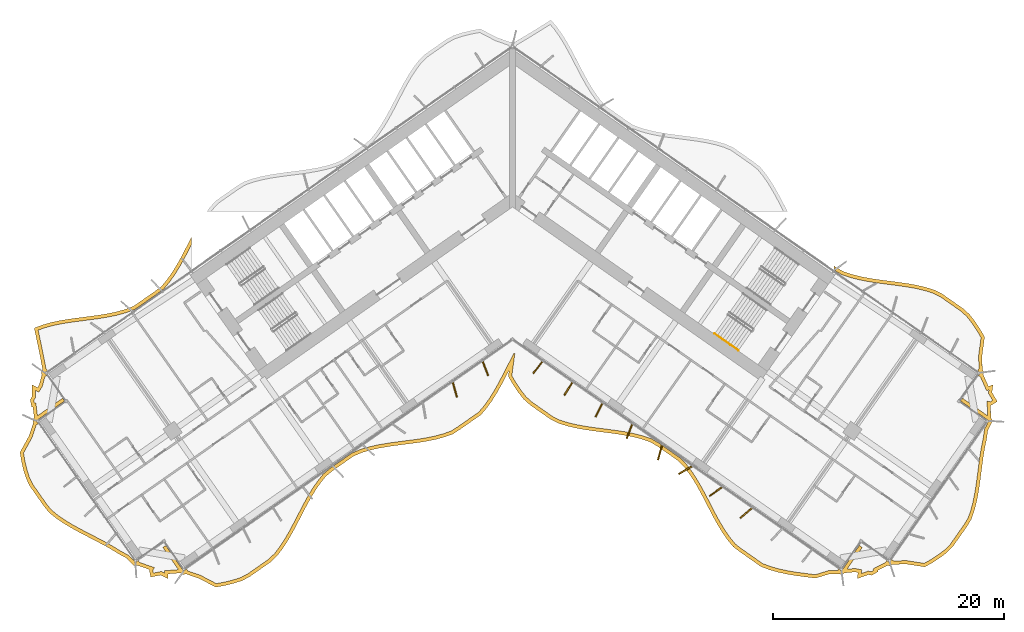
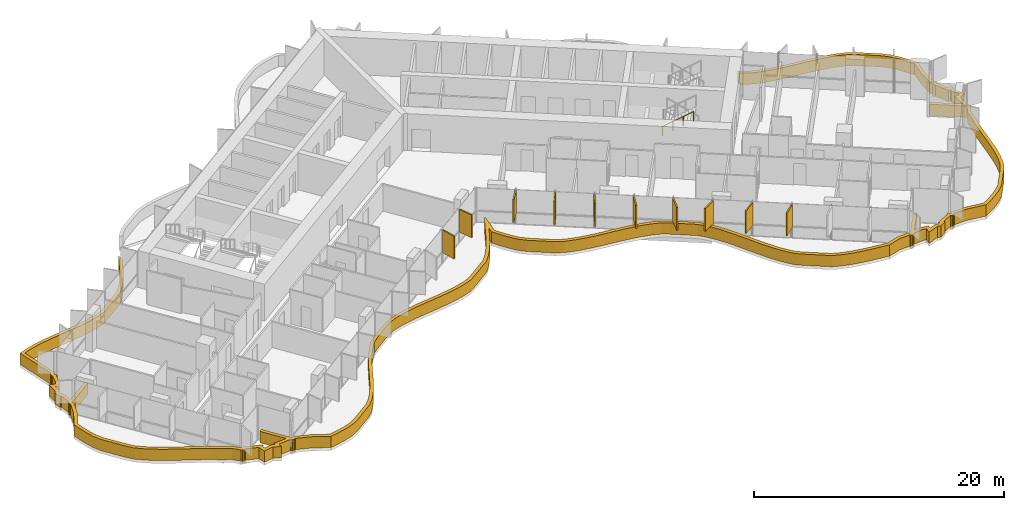
# One storey, part 20 of 23: 11 shading devices, 1 railing.
"""IFC4 building model written with IfcOpenShell, lengths in metres."""

from ifc_helpers import new_model, si_unit, direction, frame, origin, origin_2d, place, context, subcontext, project, spatial, polyline, rectangle, circle, outline, extrude, material, layer, layer_set, type_object, element, save


model = new_model("IFC4")

# Units and contexts
model_context = context("Model", 3, precision=1e-05, world=origin(), true_north=direction((0.0, 1.0)))
body_context = subcontext(model_context, "Body", "Model", "MODEL_VIEW")
ifc_project = project(units=[si_unit("LENGTHUNIT", "METRE"), si_unit("AREAUNIT", "SQUARE_METRE"), si_unit("VOLUMEUNIT", "CUBIC_METRE"), si_unit("PLANEANGLEUNIT", "RADIAN"), si_unit("MASSUNIT", "GRAM", prefix="KILO")], contexts=[model_context])

# Site, building, storey
site_placement = place(None, origin())
site = spatial("IfcSite", under=ifc_project, at=site_placement, CompositionType="ELEMENT")
building_placement = place(site_placement, origin())
building = spatial("IfcBuilding", under=site, at=building_placement, Name="Tel Ilan Convention Tower", CompositionType="ELEMENT")
storey_placement = place(building_placement, frame((0.0, 0.0, 104.89990234375)))
storey = spatial("IfcBuildingStorey", under=building, at=storey_placement, Name="L22", CompositionType="ELEMENT", Elevation=104.89990234375)

# Shading devices
ifc_material_1 = material(Name="Aluminium, bronze anodised", Category="aluminium")
ifc_layer_1 = layer(ifc_material_1, 0.1201171875)
ifc_layer_set_1 = layer_set([ifc_layer_1], Name="FIN BRONZE 1300x120")
shading_device_type_1 = type_object("IfcShadingDeviceType", Name="FIN BRONZE 1300x120", PredefinedType="USERDEFINED", material=ifc_layer_set_1)
for number, where, z_axis, x_axis, name in (
    (1, (-5.004638671875, -17.094482421875, 1.10009765625), (0.0, 0.0, 1.0), (0.268172612768, -0.963370878614, 0.0), "FIN"),
    (2, (-2.35302734375, -15.2529296875, 1.10009765625), (0.0, 0.0, 1.0), (0.360177724803, -0.932883704733, 0.0), "FIN"),
    (3, (2.195556640625, -15.15087890625, 1.10009765625), (0.0, 0.0, 1.0), (-0.612600545196, -0.790392669516, 0.0), "FIN"),
    (4, (4.842041015625, -17.004150390625, 1.10009765625), (0.0, 0.0, 1.0), (-0.533204432798, -0.845986425922, 0.0), "FIN"),
    (5, (7.48876953125, -18.85693359375, 1.10009765625), (0.0, 0.0, 1.0), (-0.448799180206, -0.893632640321, 0.0), "FIN"),
    (6, (10.13818359375, -20.7041015625, 1.10009765625), (0.0, 0.0, 1.0), (-0.360177724803, -0.932883704733, 0.0), "FIN"),
    (7, (12.789794921875, -22.545654296875, 1.10009765625), (0.0, 0.0, 1.0), (-0.268172612768, -0.963370878614, 0.0), "FIN"),
    (8, (14.9931640625, -24.06591796875, 1.10009765625), (0.0, 0.0, 1.0), (-0.866025403784, -0.5, 0.0), "FIN"),
    (9, (17.62548828125, -25.931640625, 1.10009765625), (0.0, 0.0, 1.0), (-0.813552070258, -0.581492071294, 0.0), "FIN"),
    (10, (20.2626953125, -27.79345703125, 1.10009765625), (0.0, 0.0, 1.0), (-0.753435896329, -0.657521368568, 0.0), "FIN"),
):
    element("IfcShadingDevice", number, at=place(storey_placement, frame(where, z_axis=z_axis, x_axis=x_axis)), inside=storey, type_object=shading_device_type_1, Name=name, ObjectType="FIN", PredefinedType="USERDEFINED", context=body_context, shape_type="SweptSolid", body=[
        extrude(rectangle(XDim=1.300048828125, YDim=0.1201171875, at=origin_2d()), origin(), (0.0, 0.0, 1.0), 2.219970703125),
    ])
ifc_material_2 = material(Name="Aluminium, bronze anodised", Category="aluminium")
ifc_layer_2 = layer(ifc_material_2, 0.300048828125)
ifc_layer_set_2 = layer_set([ifc_layer_2], Name="LOUVRE BAND 300x1100")
shading_device_type_2 = type_object("IfcShadingDeviceType", Name="LOUVRE BAND 300x1100", PredefinedType="USERDEFINED", material=ifc_layer_set_2)
shading_device_placement = place(storey_placement, origin())
element("IfcShadingDevice", 11, at=shading_device_placement, inside=storey, type_object=shading_device_type_2, Name="LOUVRE BAND 19.01", ObjectType="LOUVRE", PredefinedType="USERDEFINED", context=body_context, shape_type="SweptSolid", body=[
    extrude(outline(polyline([(-41.95263671875, -21.091796875), (-42.734619140625, -22.51123046875), (-42.607421875, -23.294189453125), (-42.430908203125, -24.04248046875), (-42.208740234375, -24.7587890625), (-41.900146484375, -25.414794921875), (-40.671142578125, -27.170166015625), (-40.220458984375, -27.726806640625), (-39.64404296875, -28.195068359375), (-39.018310546875, -28.62890625), (-38.352294921875, -29.03466796875), (-37.656982421875, -29.419677734375), (-35.51513671875, -30.535888671875), (-34.82470703125, -30.92431640625), (-34.16357421875, -31.33349609375), (-33.458251953125, -31.711669921875), (-32.969482421875, -32.241455078125), (-32.96484375, -32.238037109375), (-32.93603515625, -32.281494140625), (-32.838623046875, -32.346435546875), (-32.723876953125, -32.369384765625), (-32.609130859375, -32.346435546875), (-32.554931640625, -32.310302734375), (-31.51708984375, -32.678955078125), (-31.52783203125, -32.69677734375), (-31.39501953125, -33.33642578125), (-30.5068359375, -33.168701171875), (-29.9072265625, -33.476806640625), (-29.906005859375, -33.06201171875), (-28.786865234375, -32.974853515625), (-28.7578125, -33.01806640625), (-28.660400390625, -33.083251953125), (-28.545654296875, -33.10595703125), (-28.430908203125, -33.083251953125), (-28.376953125, -33.047119140625), (-27.177490234375, -33.46728515625), (-25.748291015625, -34.2158203125), (-24.94677734375, -34.067626953125), (-24.174072265625, -33.878662109375), (-23.436767578125, -33.63916015625), (-22.779296875, -33.28515625), (-20.957275390625, -32.009521484375), (-20.41845703125, -31.486083984375), (-19.947509765625, -30.8662109375), (-19.5107421875, -30.197265625), (-19.1005859375, -29.490234375), (-18.708740234375, -28.75732421875), (-17.939697265625, -27.270263671875), (-17.54296875, -26.544189453125), (-17.125, -25.848388671875), (-16.677734375, -25.1943359375), (-16.19384765625, -24.5927734375), (-15.619140625, -24.12109375), (-13.797119140625, -22.84521484375), (-13.101318359375, -22.546142578125), (-12.351806640625, -22.323974609375), (-11.56884765625, -22.1494140625), (-10.760498046875, -22.01123046875), (-9.935791015625, -21.896484375), (-8.276123046875, -21.681396484375), (-7.4609375, -21.552734375), (-6.66845703125, -21.39208984375), (-5.906494140625, -21.1875), (-5.18212890625, -20.92919921875), (-4.55859375, -20.527099609375), (-2.736572265625, -19.251220703125), (-2.23828125, -18.669921875), (-1.779296875, -18.032958984375), (-1.352294921875, -17.350341796875), (-0.94921875, -16.63330078125), (-0.29345703125, -15.373291015625), (-0.367919921875, -15.928955078125), (0.045166015625, -16.631591796875), (0.487060546875, -17.29296875), (0.964599609375, -17.90380859375), (1.52197265625, -18.400634765625), (3.343994140625, -19.676513671875), (4.02001953125, -20.003662109375), (4.763427734375, -20.234375), (5.54150390625, -20.416015625), (6.34619140625, -20.559326171875), (7.1689453125, -20.67724609375), (8.829345703125, -20.89111328125), (9.647216796875, -21.015625), (10.444091796875, -21.17041015625), (11.211669921875, -21.366943359375), (11.9423828125, -21.61572265625), (12.582275390625, -21.99462890625), (14.404541015625, -23.2705078125), (14.92333984375, -23.822021484375), (15.388427734375, -24.450439453125), (15.8203125, -25.12646484375), (16.2265625, -25.8388671875), (16.61669921875, -26.574462890625), (17.38623046875, -28.060546875), (17.785888671875, -28.782470703125), (18.2080078125, -29.47216796875), (18.660888671875, -30.1181640625), (19.1513671875, -30.71044921875), (19.742431640625, -31.158935546875), (21.564697265625, -32.4345703125), (22.281005859375, -32.7041015625), (23.03662109375, -32.917724609375), (23.824462890625, -33.08544921875), (24.635986328125, -33.218994140625), (26.29443359375, -33.435546875), (27.448974609375, -33.079345703125), (28.376953125, -33.047119140625), (28.430908203125, -33.083251953125), (28.545654296875, -33.10595703125), (28.660400390625, -33.083251953125), (28.7578125, -33.01806640625), (28.786865234375, -32.974853515625), (29.716796875, -32.8935546875), (29.97412109375, -32.9453125), (29.9072265625, -33.476806640625), (30.8779296875, -33.126708984375), (31.183837890625, -33.188232421875), (31.7392578125, -32.8447265625), (31.685546875, -32.75439453125), (32.554931640625, -32.310302734375), (32.609130859375, -32.346435546875), (32.723876953125, -32.369384765625), (32.838623046875, -32.346435546875), (32.93603515625, -32.281494140625), (32.96484375, -32.238037109375), (34.16845703125, -32.208740234375), (35.769775390625, -32.4580078125), (36.4619140625, -32.07080078125), (37.104736328125, -31.64892578125), (37.701904296875, -31.195068359375), (38.212890625, -30.680908203125), (39.44189453125, -28.925537109375), (39.810791015625, -28.311767578125), (40.0537109375, -27.60986328125), (40.247314453125, -26.87353515625), (40.40087890625, -26.109130859375), (40.52490234375, -25.323974609375), (40.841064453125, -22.929443359375), (40.969970703125, -22.147705078125), (41.12841796875, -21.386474609375), (41.24267578125, -20.594482421875), (41.5732421875, -19.9541015625), (41.568603515625, -19.950927734375), (41.604736328125, -19.896728515625), (41.62744140625, -19.781982421875), (41.604736328125, -19.667236328125), (41.53955078125, -19.56982421875), (41.496337890625, -19.541015625), (41.487548828125, -18.439453125), (41.508056640625, -18.443603515625), (42.063720703125, -18.10009765625), (41.602294921875, -17.322509765625), (41.686767578125, -16.65380859375), (41.29638671875, -16.79443359375), (40.831787109375, -15.772705078125), (40.867919921875, -15.71875), (40.890869140625, -15.603759765625), (40.867919921875, -15.489013671875), (40.802978515625, -15.3916015625), (40.759521484375, -15.36279296875), (40.743408203125, -14.096435546875), (40.96044921875, -12.496826171875), (40.548828125, -11.795654296875), (40.108154296875, -11.13525390625), (39.63232421875, -10.525390625), (39.078125, -10.02783203125), (37.260498046875, -8.755126953125), (36.5888671875, -8.4248046875), (35.84814453125, -8.193115234375), (35.072998046875, -8.0107421875), (34.27099609375, -7.86669921875), (33.450927734375, -7.748779296875), (31.79443359375, -7.535400390625), (30.97802734375, -7.412109375), (30.181884765625, -7.259521484375), (29.414794921875, -7.0654296875), (28.68408203125, -6.820068359375), (28.040283203125, -6.44970703125), (27.874755859375, -6.333740234375), (27.874755859375, -6.70068359375), (28.560302734375, -7.094970703125), (29.330322265625, -7.353515625), (30.116943359375, -7.552490234375), (30.92724609375, -7.707763671875), (31.752685546875, -7.83251953125), (33.41064453125, -8.0458984375), (34.22314453125, -8.162841796875), (35.01220703125, -8.3046875), (35.76904296875, -8.482666015625), (36.477294921875, -8.7041015625), (37.107421875, -9.01416015625), (38.89111328125, -10.26318359375), (39.412109375, -10.73095703125), (39.86474609375, -11.31103515625), (40.29443359375, -11.954833984375), (40.649169921875, -12.559326171875), (40.443115234375, -14.07861328125), (40.46142578125, -15.265625), (40.344970703125, -15.431640625), (40.5908203125, -15.603759765625), (40.41943359375, -15.85009765625), (40.596923828125, -15.974365234375), (41.13720703125, -17.1708984375), (41.327880859375, -17.10205078125), (41.291748046875, -17.38720703125), (41.6552734375, -17.999755859375), (41.451171875, -18.1259765625), (41.18359375, -18.072265625), (41.197265625, -19.324462890625), (39.0419921875, -17.8154296875), (38.8701171875, -18.061279296875), (41.327392578125, -19.781982421875), (41.155517578125, -20.02783203125), (41.186279296875, -20.04931640625), (40.952880859375, -20.501708984375), (40.832763671875, -21.33447265625), (40.675048828125, -22.0927734375), (40.54443359375, -22.884521484375), (40.22802734375, -25.28076171875), (40.10546875, -26.05615234375), (39.955078125, -26.8056640625), (39.766357421875, -27.5224609375), (39.53759765625, -28.18408203125), (39.190185546875, -28.761962890625), (37.98193359375, -30.48779296875), (37.50390625, -30.96875), (36.931640625, -31.40380859375), (36.30615234375, -31.814208984375), (35.713623046875, -32.145751953125), (34.1875, -31.908203125), (33.060546875, -31.938720703125), (32.89599609375, -31.823486328125), (32.723876953125, -32.0693359375), (32.4775390625, -31.89794921875), (32.34912109375, -32.08154296875), (31.26416015625, -32.6318359375), (31.3310546875, -32.74462890625), (31.126708984375, -32.870849609375), (30.854736328125, -32.816162109375), (30.26611328125, -33.028564453125), (30.306884765625, -32.7060546875), (29.73291015625, -32.5908203125), (29.016845703125, -32.65625), (30.340087890625, -30.766357421875), (30.09423828125, -30.59423828125), (28.545654296875, -32.805908203125), (28.2998046875, -32.634033203125), (28.214111328125, -32.75634765625), (27.3994140625, -32.78076171875), (26.267822265625, -33.1298828125), (24.6806640625, -32.922119140625), (23.8798828125, -32.79052734375), (23.10888671875, -32.626220703125), (22.374755859375, -32.4189453125), (21.70556640625, -32.167236328125), (19.919189453125, -30.91650390625), (19.3603515625, -30.492431640625), (18.899658203125, -29.936279296875), (18.459228515625, -29.3076171875), (18.04541015625, -28.63134765625), (17.650634765625, -27.91845703125), (16.882568359375, -26.435791015625), (16.489501953125, -25.694091796875), (16.0771484375, -24.97119140625), (15.6357421875, -24.2802734375), (15.154052734375, -23.629150390625), (14.601806640625, -23.04248046875), (12.7451171875, -21.742431640625), (12.068603515625, -21.341796875), (11.29736328125, -21.0791015625), (10.510009765625, -20.87744140625), (9.698486328125, -20.719970703125), (8.871337890625, -20.593994140625), (7.209228515625, -20.3798828125), (6.393798828125, -20.26318359375), (5.60205078125, -20.1220703125), (4.84228515625, -19.94482421875), (4.13037109375, -19.723876953125), (3.496337890625, -19.4169921875), (1.70849609375, -18.1650390625), (1.184326171875, -17.697998046875), (0.73046875, -17.1171875), (0.299560546875, -16.471923828125), (-0.056884765625, -15.8662109375), (0.199462890625, -13.955810546875), (0.11083984375, -13.927978515625), (-0.8271484375, -15.756591796875), (-1.212890625, -16.489990234375), (-1.6103515625, -17.197265625), (-2.0283203125, -17.86572265625), (-2.474365234375, -18.484375), (-2.939697265625, -19.027099609375), (-4.72607421875, -20.278076171875), (-5.315673828125, -20.658203125), (-5.995849609375, -20.90087890625), (-6.737060546875, -21.099853515625), (-7.51416015625, -21.25732421875), (-8.319091796875, -21.384521484375), (-9.97509765625, -21.59912109375), (-10.806396484375, -21.71484375), (-11.626708984375, -21.85498046875), (-12.427001953125, -22.033447265625), (-13.20361328125, -22.263427734375), (-13.94384765625, -22.581787109375), (-15.800537109375, -23.8818359375), (-16.408203125, -24.380615234375), (-16.9189453125, -25.015380859375), (-17.377685546875, -25.686279296875), (-17.80322265625, -26.39501953125), (-18.20458984375, -27.129150390625), (-18.974365234375, -28.617919921875), (-19.36279296875, -29.34423828125), (-19.76611328125, -30.0400390625), (-20.192626953125, -30.693359375), (-20.643798828125, -31.28662109375), (-21.14892578125, -31.777587890625), (-22.93701171875, -33.029296875), (-23.55517578125, -33.362060546875), (-24.256103515625, -33.590087890625), (-25.009765625, -33.7744140625), (-25.700927734375, -33.90185546875), (-27.057861328125, -33.19140625), (-28.18359375, -32.80029296875), (-28.2998046875, -32.634033203125), (-28.545654296875, -32.805908203125), (-30.09423828125, -30.59423828125), (-30.340087890625, -30.766357421875), (-28.991455078125, -32.6923828125), (-30.205078125, -32.78369140625), (-30.20556640625, -32.986083984375), (-30.461181640625, -32.85498046875), (-31.161376953125, -32.98681640625), (-31.2099609375, -32.751708984375), (-31.068115234375, -32.518798828125), (-32.361328125, -32.06396484375), (-32.4775390625, -31.89794921875), (-32.723876953125, -32.0693359375), (-32.89599609375, -31.823486328125), (-32.927001953125, -31.84521484375), (-33.27197265625, -31.47119140625), (-34.013427734375, -31.073486328125), (-34.672119140625, -30.666015625), (-35.37158203125, -30.272216796875), (-37.514892578125, -29.155517578125), (-38.20166015625, -28.775146484375), (-38.8544921875, -28.377197265625), (-39.463623046875, -27.954833984375), (-40.007080078125, -27.513671875), (-40.431396484375, -26.989501953125), (-41.6396484375, -25.263916015625), (-41.92822265625, -24.650146484375), (-42.141357421875, -23.963623046875), (-42.31298828125, -23.235595703125), (-42.421875, -22.565185546875), (-41.6767578125, -21.212646484375), (-41.320068359375, -20.14306640625), (-41.155517578125, -20.02783203125), (-41.327392578125, -19.781982421875), (-38.8701171875, -18.061279296875), (-39.0419921875, -17.8154296875), (-41.220947265625, -19.34130859375), (-41.356689453125, -18.2177734375), (-41.485595703125, -18.2421875), (-41.534423828125, -18.007080078125), (-41.39013671875, -17.770263671875), (-41.38818359375, -17.14453125), (-41.09912109375, -17.29296875), (-40.794677734375, -16.793212890625), (-40.574462890625, -15.958740234375), (-40.41943359375, -15.85009765625), (-40.5908203125, -15.603759765625), (-40.344970703125, -15.431640625), (-40.48046875, -15.238037109375), (-40.81787109375, -13.5107421875), (-41.15283203125, -11.91748046875), (-40.691162109375, -11.74365234375), (-39.958740234375, -11.537353515625), (-39.189208984375, -11.373779296875), (-38.390625, -11.24267578125), (-35.911865234375, -10.914306640625), (-35.091064453125, -10.780029296875), (-34.288330078125, -10.610107421875), (-33.512451171875, -10.392333984375), (-32.749267578125, -10.1083984375), (-30.893798828125, -8.81396484375), (-30.2685546875, -8.34814453125), (-29.747314453125, -7.72314453125), (-29.28173828125, -7.063232421875), (-28.85107421875, -6.363037109375), (-28.4462890625, -5.63525390625), (-27.874755859375, -4.5361328125), (-27.874755859375, -3.88330078125), (-28.71044921875, -5.49267578125), (-29.10986328125, -6.211669921875), (-29.5322265625, -6.89794921875), (-29.9853515625, -7.540283203125), (-30.47607421875, -8.128662109375), (-31.069580078125, -8.57080078125), (-32.88916015625, -9.84033203125), (-33.60546875, -10.10693359375), (-34.360107421875, -10.318603515625), (-35.146240234375, -10.485107421875), (-35.956298828125, -10.61767578125), (-38.43505859375, -10.946044921875), (-39.244873046875, -11.078857421875), (-40.03076171875, -11.245849609375), (-40.784912109375, -11.45849609375), (-41.499267578125, -11.727294921875), (-41.11181640625, -13.5703125), (-40.759521484375, -15.36279296875), (-40.802978515625, -15.3916015625), (-40.867919921875, -15.489013671875), (-40.890869140625, -15.603759765625), (-40.867919921875, -15.71875), (-40.831787109375, -15.772705078125), (-41.073486328125, -16.67431640625), (-41.210205078125, -16.898681640625), (-41.686767578125, -16.65380859375), (-41.68994140625, -17.685546875), (-41.852294921875, -17.9521484375), (-41.719482421875, -18.591552734375), (-41.6162109375, -18.572021484375), (-41.496337890625, -19.541015625), (-41.53955078125, -19.56982421875), (-41.604736328125, -19.667236328125), (-41.62744140625, -19.781982421875), (-41.604736328125, -19.896728515625), (-41.568603515625, -19.950927734375), (-41.95263671875, -21.091796875)])), origin(), (0.0, 0.0, 1.0), 1.10009765625),
])

# Railing
ifc_material_3 = material(Name="Stainless Steel Grade 316", Category="steel")
railing_type = type_object("IfcRailingType", Name="Stainless Steel Stair Handrail 900 mm", PredefinedType="HANDRAIL", material=ifc_material_3)
railing_placement = place(storey_placement, frame((17.542236328125, -12.22216796875, 1.97998046875)))
element("IfcRailing", 12, at=railing_placement, inside=storey, type_object=railing_type, Name="L22 S4 stair handrail 2", PredefinedType="HANDRAIL", context=body_context, shape_type="SweptSolid", body=[
    extrude(circle(Radius=0.02392578125, at=origin_2d()), frame((0.0, 0.0, 0.8759765625), z_axis=(0.689040105437, -0.482450316285, 0.54080072616), x_axis=(0.573559875649, 0.819163639968, 0.0)), (0.0, 0.0, 1.0), 2.995849609375),
    extrude(circle(Radius=0.02099609375, at=origin_2d()), origin(), (0.0, 0.0, 1.0), 0.851806640625),
    extrude(circle(Radius=0.02099609375, at=origin_2d()), frame((0.68798828125, -0.481689453125, 0.5400390625)), (0.0, 0.0, 1.0), 0.851806640625),
    extrude(circle(Radius=0.02099609375, at=origin_2d()), frame((1.376220703125, -0.963623046875, 1.080078125)), (0.0, 0.0, 1.0), 0.851806640625),
    extrude(circle(Radius=0.02099609375, at=origin_2d()), frame((2.064208984375, -1.4453125, 1.6201171875)), (0.0, 0.0, 1.0), 0.851806640625),
])

save(model, "model.ifc")
